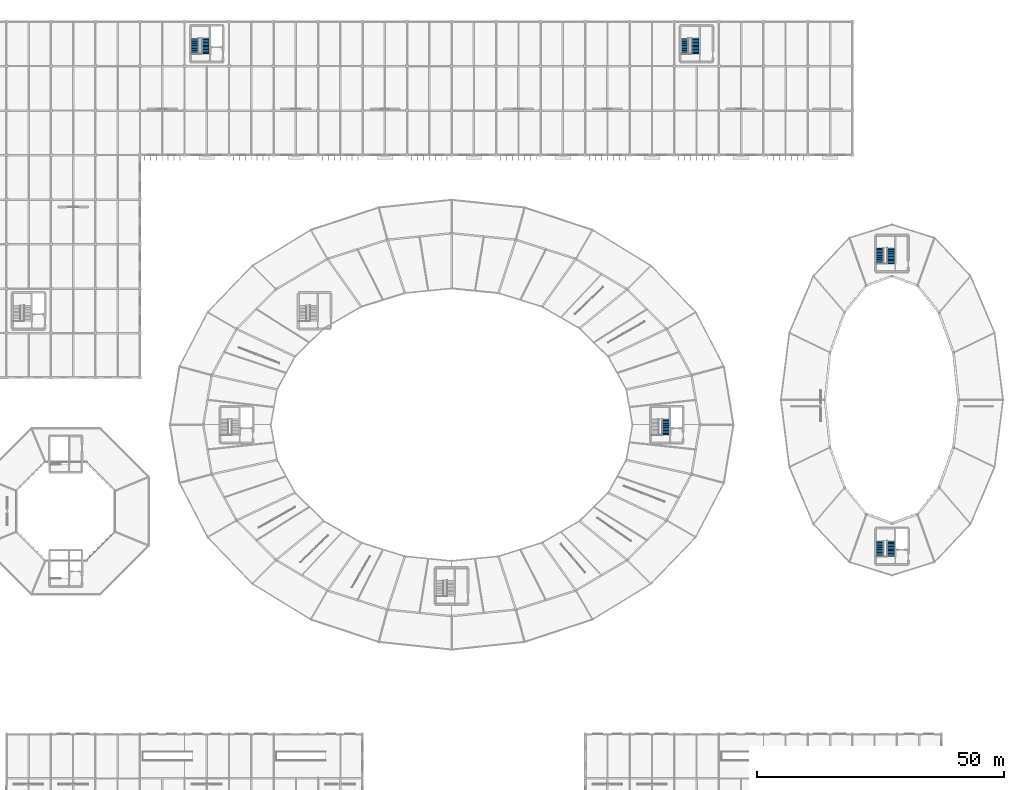
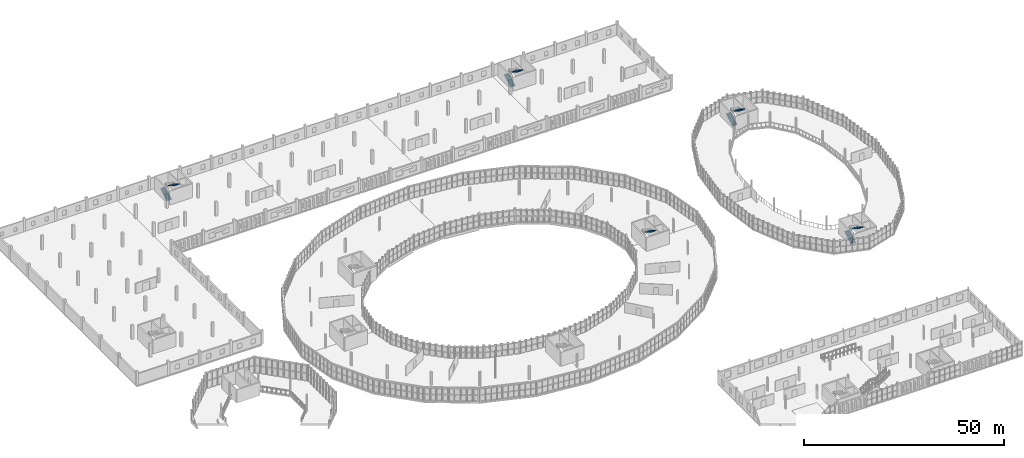
# One storey, part 150 of 161: 9 stair flights, 5 elements without a shape of their own.
"""IFC4 building model written with IfcOpenShell, lengths in metres."""

import ifcopenshell
import ifcopenshell.guid

model = None  # the IFC model being written
_history = None  # IfcOwnerHistory: only IFC2X3 demands one
_inside = {}  # id of a spatial element -> (the spatial element, [elements in it])
_under = {}  # id of a project, library or spatial element -> (it, [spatial elements below it])
_declared = {}  # id of a project -> (the project, [libraries it declares])
_typed = {}  # id of a type object -> (the type object, [elements of that type])
_made_of = {}  # id of a material, layer set ... -> (it, [elements and type objects made of it])


def new_model(schema):
    """Start an empty IFC model of exactly this schema.

    Asked for "IFC4X3", IfcOpenShell would pick the latest addendum, in which some entities
    have other attributes; the version numbers below select the first issue.
    IFC2X3 requires an IfcOwnerHistory on every rooted entity: one is made here for all.
    """
    global model, _history
    if schema == "IFC4X3":
        model = ifcopenshell.file(schema_version=(4, 3, 0, 0))
    else:
        model = ifcopenshell.file(schema=schema)
    _inside.clear()
    _under.clear()
    _declared.clear()
    _typed.clear()
    _made_of.clear()
    _history = None
    if model.schema == "IFC2X3":
        org = make("IfcOrganization", Name="unknown")
        user = make(
            "IfcPersonAndOrganization",
            ThePerson=make("IfcPerson", FamilyName="unknown"),
            TheOrganization=org,
        )
        app = make(
            "IfcApplication",
            ApplicationDeveloper=org,
            Version="unknown",
            ApplicationFullName="unknown",
            ApplicationIdentifier="unknown",
        )
        _history = make(
            "IfcOwnerHistory",
            OwningUser=user,
            OwningApplication=app,
            ChangeAction="ADDED",
            CreationDate=0,
        )
    return model


def make(cls, **values):
    """One entity of the class cls with the attributes given. An attribute that is None is left unset."""
    return model.create_entity(
        cls, **{name: value for name, value in values.items() if value is not None}
    )


def rooted(cls, **values):
    """An entity with a GlobalId (a new one), such as an element, a storey or a relation."""
    return make(cls, GlobalId=ifcopenshell.guid.new(), OwnerHistory=_history, **values)


def si_unit(unit_type, name, prefix=None):
    """IfcSIUnit, for example si_unit("LENGTHUNIT", "METRE", prefix="MILLI")."""
    return make("IfcSIUnit", UnitType=unit_type, Prefix=prefix, Name=name)


def assignment(units):
    """IfcUnitAssignment: the units of a project."""
    return None if units is None else make("IfcUnitAssignment", Units=units)


def point(xyz):
    """IfcCartesianPoint."""
    return None if xyz is None else make("IfcCartesianPoint", Coordinates=xyz)


def direction(xyz):
    """IfcDirection."""
    return None if xyz is None else make("IfcDirection", DirectionRatios=xyz)


def frame(location, z_axis=None, x_axis=None):
    """IfcAxis2Placement3D, a coordinate frame: its origin and axes. An axis left out is left unset."""
    return make(
        "IfcAxis2Placement3D",
        Location=point(location),
        Axis=direction(z_axis),
        RefDirection=direction(x_axis),
    )


def origin():
    """The frame at (0, 0, 0) with its axes left unset."""
    return frame((0.0, 0.0, 0.0))


def place(relative_to, where):
    """IfcLocalPlacement: puts the frame where relative to a parent placement (None: the world)."""
    return make(
        "IfcLocalPlacement", PlacementRelTo=relative_to, RelativePlacement=where
    )


def context(
    kind, dimensions, precision=None, world=None, true_north=None, identifier=None
):
    """IfcGeometricRepresentationContext, for example the 3D "Model" context."""
    return make(
        "IfcGeometricRepresentationContext",
        ContextIdentifier=identifier,
        ContextType=kind,
        CoordinateSpaceDimension=dimensions,
        Precision=precision,
        WorldCoordinateSystem=world,
        TrueNorth=true_north,
    )


def subcontext(parent, identifier, kind, view, scale=None):
    """IfcGeometricRepresentationSubContext, for example "Body" below "Model"."""
    return make(
        "IfcGeometricRepresentationSubContext",
        ContextIdentifier=identifier,
        ContextType=kind,
        ParentContext=parent,
        TargetScale=scale,
        TargetView=view,
    )


def project(units=None, contexts=None):
    """IfcProject with its units and contexts."""
    return rooted(
        "IfcProject",
        Name="project",
        RepresentationContexts=contexts,
        UnitsInContext=assignment(units),
    )


def spatial(cls, under=None, at=None, **own):
    """A site, building, storey or space (cls), placed at a placement, below another one or the project."""
    s = rooted(cls, ObjectPlacement=at, **own)
    if under is not None:
        _under.setdefault(under.id(), (under, []))[1].append(s)
    return s


def polyline(points):
    """IfcPolyline through the points."""
    return make("IfcPolyline", Points=[point(p) for p in points])


def outline(outer, holes=None, kind="AREA"):
    """IfcArbitraryClosedProfileDef: a profile drawn as a closed curve; with holes, ...WithVoids."""
    if holes is None:
        return make("IfcArbitraryClosedProfileDef", ProfileType=kind, OuterCurve=outer)
    return make(
        "IfcArbitraryProfileDefWithVoids",
        ProfileType=kind,
        OuterCurve=outer,
        InnerCurves=holes,
    )


def extrude(swept, where, along, depth):
    """IfcExtrudedAreaSolid: the profile swept, set in the frame where, extruded along a direction by depth."""
    return make(
        "IfcExtrudedAreaSolid",
        SweptArea=swept,
        Position=where,
        ExtrudedDirection=direction(along),
        Depth=depth,
    )


def shape(context_of_items, identifier, shape_type, items):
    """IfcShapeRepresentation: the items that make up one representation, for example the "Body"."""
    return make(
        "IfcShapeRepresentation",
        ContextOfItems=context_of_items,
        RepresentationIdentifier=identifier,
        RepresentationType=shape_type,
        Items=items,
    )


def material(Name=None, Category=None):
    """IfcMaterial."""
    return make("IfcMaterial", Name=Name, Category=Category)


def made_of(thing, what):
    """Note that an element or type object is made of a material, layer set ...; save() writes the relation."""
    if what is not None:
        _made_of.setdefault(what.id(), (what, []))[1].append(thing)
    return thing


def type_object(cls, material=None, **own):
    """A type object (cls), such as IfcWallType, which elements share."""
    return made_of(rooted(cls, **own), material)


def element(
    cls,
    number,
    at=None,
    inside=None,
    cuts=None,
    type_object=None,
    material=None,
    context=None,
    identifier="Body",
    shape_type=None,
    held_by="IfcProductDefinitionShape",
    body=None,
    shapes=None,
    **own,
):
    """One element of the class cls, such as IfcWall. Its Tag is "e" and its number.

    at: its placement. inside: the storey or other place that contains it. cuts: it is an
    opening in that element (IfcRelVoidsElement). A single representation is given by context,
    identifier, shape_type and body (its items); several are given by shapes. held_by: the class
    of the entity that holds the representations. save() writes the other relations.
    """
    e = rooted(cls, Tag="e%d" % number, ObjectPlacement=at, **own)
    if body is not None:
        shapes = [shape(context, identifier, shape_type, body)]
    if shapes is not None:
        e.Representation = make(held_by, Representations=shapes)
    if inside is not None:
        _inside.setdefault(inside.id(), (inside, []))[1].append(e)
    if cuts is not None:
        rooted(
            "IfcRelVoidsElement", RelatingBuildingElement=cuts, RelatedOpeningElement=e
        )
    if type_object is not None:
        _typed.setdefault(type_object.id(), (type_object, []))[1].append(e)
    return made_of(e, material)


def aggregate(whole, parts):
    """IfcRelAggregates: a whole, such as a stair, and the parts it consists of."""
    return rooted("IfcRelAggregates", RelatingObject=whole, RelatedObjects=parts)


def save(model, path):
    """Write the relations noted so far, then the file.

    IfcRelAggregates (storeys below a building ...), IfcRelContainedInSpatialStructure (elements
    in a storey), IfcRelDefinesByType, IfcRelAssociatesMaterial and IfcRelDeclares: one each for
    every whole, place, type object, material and project.
    """
    for whole, parts in _under.values():
        aggregate(whole, parts)
    for where, things in _inside.values():
        rooted(
            "IfcRelContainedInSpatialStructure",
            RelatedElements=things,
            RelatingStructure=where,
        )
    for kind, things in _typed.values():
        rooted("IfcRelDefinesByType", RelatedObjects=things, RelatingType=kind)
    for what, things in _made_of.values():
        rooted("IfcRelAssociatesMaterial", RelatedObjects=things, RelatingMaterial=what)
    for by, libraries in _declared.values():
        rooted("IfcRelDeclares", RelatingContext=by, RelatedDefinitions=libraries)
    model.write(path)


model = new_model("IFC4")

# Units and contexts
model_context = context("Model", 3, precision=1e-05, world=origin(), true_north=direction((0.0, 1.0)))
body_context = subcontext(model_context, "Body", "Model", "MODEL_VIEW")
ifc_project = project(units=[si_unit("LENGTHUNIT", "METRE"), si_unit("AREAUNIT", "SQUARE_METRE"), si_unit("VOLUMEUNIT", "CUBIC_METRE"), si_unit("PLANEANGLEUNIT", "RADIAN"), si_unit("MASSUNIT", "GRAM", prefix="KILO")], contexts=[model_context])

# Site, building, storey
site_placement = place(None, origin())
site = spatial("IfcSite", under=ifc_project, at=site_placement, CompositionType="ELEMENT")
building_placement = place(site_placement, origin())
building = spatial("IfcBuilding", under=site, at=building_placement, Name="Kildeholm Park Wholesale Market", CompositionType="ELEMENT")
storey_placement = place(building_placement, frame((0.0, 0.0, 5.39990234375)))
storey = spatial("IfcBuildingStorey", under=building, at=storey_placement, Name="L01", CompositionType="ELEMENT", Elevation=5.39990234375)

# Stair, stair flights
ifc_material = material(Name="Concrete C35/45", Category="concrete")
stair_type = type_object("IfcStairType", Name="Protected upper core escape stair ST-CR2", PredefinedType="HALF_TURN_STAIR", material=ifc_material)
stair_1_placement = place(storey_placement, origin())
stair_1 = element("IfcStair", 1, at=stair_1_placement, inside=storey, type_object=stair_type, Name="Escape stair C02 L01 STR-0004", PredefinedType="HALF_TURN_STAIR")
stair_flight_type = type_object("IfcStairFlightType", Name="Upper reinforced-concrete stair flight SF-03", PredefinedType="STRAIGHT", material=ifc_material)
stair_flight_1_placement = place(storey_placement, frame((47.139892578125, 164.419921875, 0.0), z_axis=(0.0, 0.0, 1.0), x_axis=(0.0, 1.0, 0.0)))
stair_flight_1 = element("IfcStairFlight", 2, at=stair_flight_1_placement, type_object=stair_flight_type, Name="ST-02-01 flight 1 FLT-0007", NumberOfRisers=12, NumberOfTreads=11, PredefinedType="STRAIGHT", RiserHeight=0.175, TreadLength=0.285, context=body_context, shape_type="SweptSolid", body=[
    extrude(outline(polyline([(0.0, 0.0), (0.0, 0.175048828125), (0.284912109375, 0.175048828125), (0.284912109375, 0.35009765625), (0.570068359375, 0.35009765625), (0.570068359375, 0.52490234375), (0.85498046875, 0.52490234375), (0.85498046875, 0.699951171875), (1.139892578125, 0.699951171875), (1.139892578125, 0.875), (1.425048828125, 0.875), (1.425048828125, 1.050048828125), (1.7099609375, 1.050048828125), (1.7099609375, 1.22509765625), (1.9951171875, 1.22509765625), (1.9951171875, 1.39990234375), (2.280029296875, 1.39990234375), (2.280029296875, 1.574951171875), (2.56494140625, 1.574951171875), (2.56494140625, 1.75), (2.85009765625, 1.75), (2.85009765625, 1.925048828125), (3.135009765625, 1.925048828125), (3.135009765625, 2.10009765625), (3.18505859375, 2.10009765625), (3.18505859375, 1.9501953125), (3.135009765625, 1.7490234375), (0.286376953125, 0.0), (0.0, 0.0)])), frame((0.0, 0.719970703125, 0.0), z_axis=(0.0, -1.0, 0.0), x_axis=(1.0, 0.0, 0.0)), (0.0, 0.0, 1.0), 1.43994140625),
])
stair_flight_2_placement = place(storey_placement, frame((49.27001953125, 167.614990234375, 2.10009765625), z_axis=(0.0, 0.0, 1.0), x_axis=(0.0, -1.0, 0.0)))
stair_flight_2 = element("IfcStairFlight", 3, at=stair_flight_2_placement, type_object=stair_flight_type, Name="ST-02-01 flight 2 FLT-0008", NumberOfRisers=12, NumberOfTreads=11, PredefinedType="STRAIGHT", RiserHeight=0.175, TreadLength=0.285, context=body_context, shape_type="SweptSolid", body=[
    extrude(outline(polyline([(0.0, 0.0), (0.0, 0.175048828125), (0.284912109375, 0.175048828125), (0.284912109375, 0.35009765625), (0.570068359375, 0.35009765625), (0.570068359375, 0.52490234375), (0.85498046875, 0.52490234375), (0.85498046875, 0.699951171875), (1.139892578125, 0.699951171875), (1.139892578125, 0.875), (1.425048828125, 0.875), (1.425048828125, 1.050048828125), (1.7099609375, 1.050048828125), (1.7099609375, 1.22509765625), (1.9951171875, 1.22509765625), (1.9951171875, 1.39990234375), (2.280029296875, 1.39990234375), (2.280029296875, 1.574951171875), (2.56494140625, 1.574951171875), (2.56494140625, 1.75), (2.85009765625, 1.75), (2.85009765625, 1.925048828125), (3.135009765625, 1.925048828125), (3.135009765625, 2.10009765625), (3.18505859375, 2.10009765625), (3.18505859375, 1.9501953125), (3.135009765625, 1.7490234375), (0.286376953125, 0.0), (0.0, 0.0)])), frame((0.0, 0.719970703125, 0.0), z_axis=(0.0, -1.0, 0.0), x_axis=(1.0, 0.0, 0.0)), (0.0, 0.0, 1.0), 1.43994140625),
])
aggregate(stair_1, [stair_flight_1, stair_flight_2])

stair_2_placement = place(storey_placement, origin())
stair_2 = element("IfcStair", 4, at=stair_2_placement, inside=storey, type_object=stair_type, Name="Escape stair C03 L01 STR-0007", PredefinedType="HALF_TURN_STAIR")
stair_flight_3_placement = place(storey_placement, frame((146.139892578125, 164.419921875, 0.0), z_axis=(0.0, 0.0, 1.0), x_axis=(0.0, 1.0, 0.0)))
stair_flight_3 = element("IfcStairFlight", 5, at=stair_flight_3_placement, type_object=stair_flight_type, Name="ST-03-01 flight 1 FLT-0013", NumberOfRisers=12, NumberOfTreads=11, PredefinedType="STRAIGHT", RiserHeight=0.175, TreadLength=0.285, context=body_context, shape_type="SweptSolid", body=[
    extrude(outline(polyline([(0.0, 0.0), (0.0, 0.175048828125), (0.284912109375, 0.175048828125), (0.284912109375, 0.35009765625), (0.570068359375, 0.35009765625), (0.570068359375, 0.52490234375), (0.85498046875, 0.52490234375), (0.85498046875, 0.699951171875), (1.139892578125, 0.699951171875), (1.139892578125, 0.875), (1.425048828125, 0.875), (1.425048828125, 1.050048828125), (1.7099609375, 1.050048828125), (1.7099609375, 1.22509765625), (1.9951171875, 1.22509765625), (1.9951171875, 1.39990234375), (2.280029296875, 1.39990234375), (2.280029296875, 1.574951171875), (2.56494140625, 1.574951171875), (2.56494140625, 1.75), (2.85009765625, 1.75), (2.85009765625, 1.925048828125), (3.135009765625, 1.925048828125), (3.135009765625, 2.10009765625), (3.18505859375, 2.10009765625), (3.18505859375, 1.9501953125), (3.135009765625, 1.7490234375), (0.286376953125, 0.0), (0.0, 0.0)])), frame((0.0, 0.719970703125, 0.0), z_axis=(0.0, -1.0, 0.0), x_axis=(1.0, 0.0, 0.0)), (0.0, 0.0, 1.0), 1.43994140625),
])
stair_flight_4_placement = place(storey_placement, frame((148.27001953125, 167.614990234375, 2.10009765625), z_axis=(0.0, 0.0, 1.0), x_axis=(0.0, -1.0, 0.0)))
stair_flight_4 = element("IfcStairFlight", 6, at=stair_flight_4_placement, type_object=stair_flight_type, Name="ST-03-01 flight 2 FLT-0014", NumberOfRisers=12, NumberOfTreads=11, PredefinedType="STRAIGHT", RiserHeight=0.175, TreadLength=0.285, context=body_context, shape_type="SweptSolid", body=[
    extrude(outline(polyline([(0.0, 0.0), (0.0, 0.175048828125), (0.284912109375, 0.175048828125), (0.284912109375, 0.35009765625), (0.570068359375, 0.35009765625), (0.570068359375, 0.52490234375), (0.85498046875, 0.52490234375), (0.85498046875, 0.699951171875), (1.139892578125, 0.699951171875), (1.139892578125, 0.875), (1.425048828125, 0.875), (1.425048828125, 1.050048828125), (1.7099609375, 1.050048828125), (1.7099609375, 1.22509765625), (1.9951171875, 1.22509765625), (1.9951171875, 1.39990234375), (2.280029296875, 1.39990234375), (2.280029296875, 1.574951171875), (2.56494140625, 1.574951171875), (2.56494140625, 1.75), (2.85009765625, 1.75), (2.85009765625, 1.925048828125), (3.135009765625, 1.925048828125), (3.135009765625, 2.10009765625), (3.18505859375, 2.10009765625), (3.18505859375, 1.9501953125), (3.135009765625, 1.7490234375), (0.286376953125, 0.0), (0.0, 0.0)])), frame((0.0, 0.719970703125, 0.0), z_axis=(0.0, -1.0, 0.0), x_axis=(1.0, 0.0, 0.0)), (0.0, 0.0, 1.0), 1.43994140625),
])
aggregate(stair_2, [stair_flight_3, stair_flight_4])

# Stair, stair flight
stair_3_placement = place(storey_placement, origin())
stair_3 = element("IfcStair", 7, at=stair_3_placement, inside=storey, type_object=stair_type, Name="Escape stair C08 L01 STR-0021", PredefinedType="HALF_TURN_STAIR")
stair_flight_5_placement = place(storey_placement, frame((142.27001953125, 90.614990234375, 2.10009765625), z_axis=(0.0, 0.0, 1.0), x_axis=(0.0, -1.0, 0.0)))
stair_flight_5 = element("IfcStairFlight", 8, at=stair_flight_5_placement, type_object=stair_flight_type, Name="ST-08-01 flight 2 FLT-0042", NumberOfRisers=12, NumberOfTreads=11, PredefinedType="STRAIGHT", RiserHeight=0.175, TreadLength=0.285, context=body_context, shape_type="SweptSolid", body=[
    extrude(outline(polyline([(0.0, 0.0), (0.0, 0.175048828125), (0.284912109375, 0.175048828125), (0.284912109375, 0.35009765625), (0.570068359375, 0.35009765625), (0.570068359375, 0.52490234375), (0.85498046875, 0.52490234375), (0.85498046875, 0.699951171875), (1.139892578125, 0.699951171875), (1.139892578125, 0.875), (1.425048828125, 0.875), (1.425048828125, 1.050048828125), (1.7099609375, 1.050048828125), (1.7099609375, 1.22509765625), (1.9951171875, 1.22509765625), (1.9951171875, 1.39990234375), (2.280029296875, 1.39990234375), (2.280029296875, 1.574951171875), (2.56494140625, 1.574951171875), (2.56494140625, 1.75), (2.85009765625, 1.75), (2.85009765625, 1.925048828125), (3.135009765625, 1.925048828125), (3.135009765625, 2.10009765625), (3.18505859375, 2.10009765625), (3.18505859375, 1.9501953125), (3.135009765625, 1.7490234375), (0.286376953125, 0.0), (0.0, 0.0)])), frame((0.0, 0.719970703125, 0.0), z_axis=(0.0, -1.0, 0.0), x_axis=(1.0, 0.0, 0.0)), (0.0, 0.0, 1.0), 1.43994140625),
])
aggregate(stair_3, [stair_flight_5])

# Stair, stair flights
stair_4_placement = place(storey_placement, origin())
stair_4 = element("IfcStair", 9, at=stair_4_placement, inside=storey, type_object=stair_type, Name="Escape stair C12 L01 STR-0029", PredefinedType="HALF_TURN_STAIR")
stair_flight_6_placement = place(storey_placement, frame((185.639892578125, 62.820068359375, 0.0), z_axis=(0.0, 0.0, 1.0), x_axis=(0.0, 1.0, 0.0)))
stair_flight_6 = element("IfcStairFlight", 10, at=stair_flight_6_placement, type_object=stair_flight_type, Name="ST-12-01 flight 1 FLT-0057", NumberOfRisers=12, NumberOfTreads=11, PredefinedType="STRAIGHT", RiserHeight=0.175, TreadLength=0.285, context=body_context, shape_type="SweptSolid", body=[
    extrude(outline(polyline([(0.0, 0.0), (0.0, 0.175048828125), (0.284912109375, 0.175048828125), (0.284912109375, 0.35009765625), (0.570068359375, 0.35009765625), (0.570068359375, 0.52490234375), (0.85498046875, 0.52490234375), (0.85498046875, 0.699951171875), (1.139892578125, 0.699951171875), (1.139892578125, 0.875), (1.425048828125, 0.875), (1.425048828125, 1.050048828125), (1.7099609375, 1.050048828125), (1.7099609375, 1.22509765625), (1.9951171875, 1.22509765625), (1.9951171875, 1.39990234375), (2.280029296875, 1.39990234375), (2.280029296875, 1.574951171875), (2.56494140625, 1.574951171875), (2.56494140625, 1.75), (2.85009765625, 1.75), (2.85009765625, 1.925048828125), (3.135009765625, 1.925048828125), (3.135009765625, 2.10009765625), (3.18505859375, 2.10009765625), (3.18505859375, 1.9501953125), (3.135009765625, 1.7490234375), (0.286376953125, 0.0), (0.0, 0.0)])), frame((0.0, 0.719970703125, 0.0), z_axis=(0.0, -1.0, 0.0), x_axis=(1.0, 0.0, 0.0)), (0.0, 0.0, 1.0), 1.43994140625),
])
stair_flight_7_placement = place(storey_placement, frame((187.77001953125, 66.014892578125, 2.10009765625), z_axis=(0.0, 0.0, 1.0), x_axis=(0.0, -1.0, 0.0)))
stair_flight_7 = element("IfcStairFlight", 11, at=stair_flight_7_placement, type_object=stair_flight_type, Name="ST-12-01 flight 2 FLT-0058", NumberOfRisers=12, NumberOfTreads=11, PredefinedType="STRAIGHT", RiserHeight=0.175, TreadLength=0.285, context=body_context, shape_type="SweptSolid", body=[
    extrude(outline(polyline([(0.0, 0.0), (0.0, 0.175048828125), (0.284912109375, 0.175048828125), (0.284912109375, 0.35009765625), (0.570068359375, 0.35009765625), (0.570068359375, 0.52490234375), (0.85498046875, 0.52490234375), (0.85498046875, 0.699951171875), (1.139892578125, 0.699951171875), (1.139892578125, 0.875), (1.425048828125, 0.875), (1.425048828125, 1.050048828125), (1.7099609375, 1.050048828125), (1.7099609375, 1.22509765625), (1.9951171875, 1.22509765625), (1.9951171875, 1.39990234375), (2.280029296875, 1.39990234375), (2.280029296875, 1.574951171875), (2.56494140625, 1.574951171875), (2.56494140625, 1.75), (2.85009765625, 1.75), (2.85009765625, 1.925048828125), (3.135009765625, 1.925048828125), (3.135009765625, 2.10009765625), (3.18505859375, 2.10009765625), (3.18505859375, 1.9501953125), (3.135009765625, 1.7490234375), (0.286376953125, 0.0), (0.0, 0.0)])), frame((0.0, 0.719970703125, 0.0), z_axis=(0.0, -1.0, 0.0), x_axis=(1.0, 0.0, 0.0)), (0.0, 0.0, 1.0), 1.43994140625),
])
aggregate(stair_4, [stair_flight_6, stair_flight_7])

stair_5_placement = place(storey_placement, origin())
stair_5 = element("IfcStair", 12, at=stair_5_placement, inside=storey, type_object=stair_type, Name="Escape stair C13 L01 STR-0031", PredefinedType="HALF_TURN_STAIR")
stair_flight_8_placement = place(storey_placement, frame((185.639892578125, 122.02001953125, 0.0), z_axis=(0.0, 0.0, 1.0), x_axis=(0.0, 1.0, 0.0)))
stair_flight_8 = element("IfcStairFlight", 13, at=stair_flight_8_placement, type_object=stair_flight_type, Name="ST-13-01 flight 1 FLT-0061", NumberOfRisers=12, NumberOfTreads=11, PredefinedType="STRAIGHT", RiserHeight=0.175, TreadLength=0.285, context=body_context, shape_type="SweptSolid", body=[
    extrude(outline(polyline([(0.0, 0.0), (0.0, 0.175048828125), (0.284912109375, 0.175048828125), (0.284912109375, 0.35009765625), (0.570068359375, 0.35009765625), (0.570068359375, 0.52490234375), (0.85498046875, 0.52490234375), (0.85498046875, 0.699951171875), (1.139892578125, 0.699951171875), (1.139892578125, 0.875), (1.425048828125, 0.875), (1.425048828125, 1.050048828125), (1.7099609375, 1.050048828125), (1.7099609375, 1.22509765625), (1.9951171875, 1.22509765625), (1.9951171875, 1.39990234375), (2.280029296875, 1.39990234375), (2.280029296875, 1.574951171875), (2.56494140625, 1.574951171875), (2.56494140625, 1.75), (2.85009765625, 1.75), (2.85009765625, 1.925048828125), (3.135009765625, 1.925048828125), (3.135009765625, 2.10009765625), (3.18505859375, 2.10009765625), (3.18505859375, 1.9501953125), (3.135009765625, 1.7490234375), (0.286376953125, 0.0), (0.0, 0.0)])), frame((0.0, 0.719970703125, 0.0), z_axis=(0.0, -1.0, 0.0), x_axis=(1.0, 0.0, 0.0)), (0.0, 0.0, 1.0), 1.43994140625),
])
stair_flight_9_placement = place(storey_placement, frame((187.77001953125, 125.215087890625, 2.10009765625), z_axis=(0.0, 0.0, 1.0), x_axis=(0.0, -1.0, 0.0)))
stair_flight_9 = element("IfcStairFlight", 14, at=stair_flight_9_placement, type_object=stair_flight_type, Name="ST-13-01 flight 2 FLT-0062", NumberOfRisers=12, NumberOfTreads=11, PredefinedType="STRAIGHT", RiserHeight=0.175, TreadLength=0.285, context=body_context, shape_type="SweptSolid", body=[
    extrude(outline(polyline([(0.0, 0.0), (0.0, 0.175048828125), (0.284912109375, 0.175048828125), (0.284912109375, 0.35009765625), (0.570068359375, 0.35009765625), (0.570068359375, 0.52490234375), (0.85498046875, 0.52490234375), (0.85498046875, 0.699951171875), (1.139892578125, 0.699951171875), (1.139892578125, 0.875), (1.425048828125, 0.875), (1.425048828125, 1.050048828125), (1.7099609375, 1.050048828125), (1.7099609375, 1.22509765625), (1.9951171875, 1.22509765625), (1.9951171875, 1.39990234375), (2.280029296875, 1.39990234375), (2.280029296875, 1.574951171875), (2.56494140625, 1.574951171875), (2.56494140625, 1.75), (2.85009765625, 1.75), (2.85009765625, 1.925048828125), (3.135009765625, 1.925048828125), (3.135009765625, 2.10009765625), (3.18505859375, 2.10009765625), (3.18505859375, 1.9501953125), (3.135009765625, 1.7490234375), (0.286376953125, 0.0), (0.0, 0.0)])), frame((0.0, 0.719970703125, 0.0), z_axis=(0.0, -1.0, 0.0), x_axis=(1.0, 0.0, 0.0)), (0.0, 0.0, 1.0), 1.43994140625),
])
aggregate(stair_5, [stair_flight_8, stair_flight_9])

save(model, "model.ifc")
